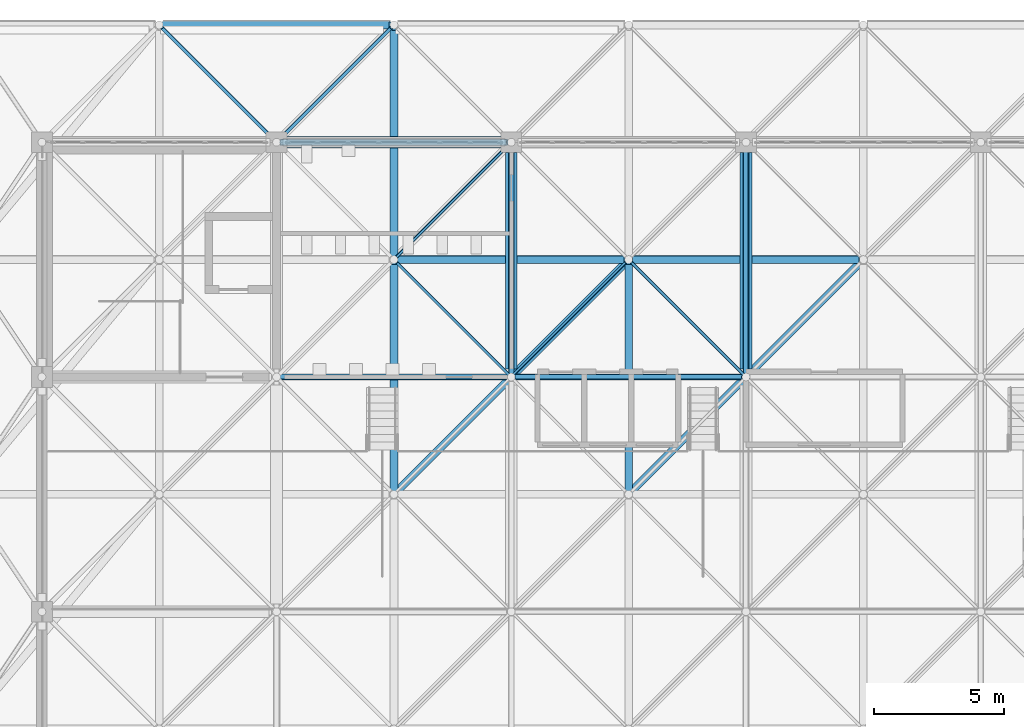
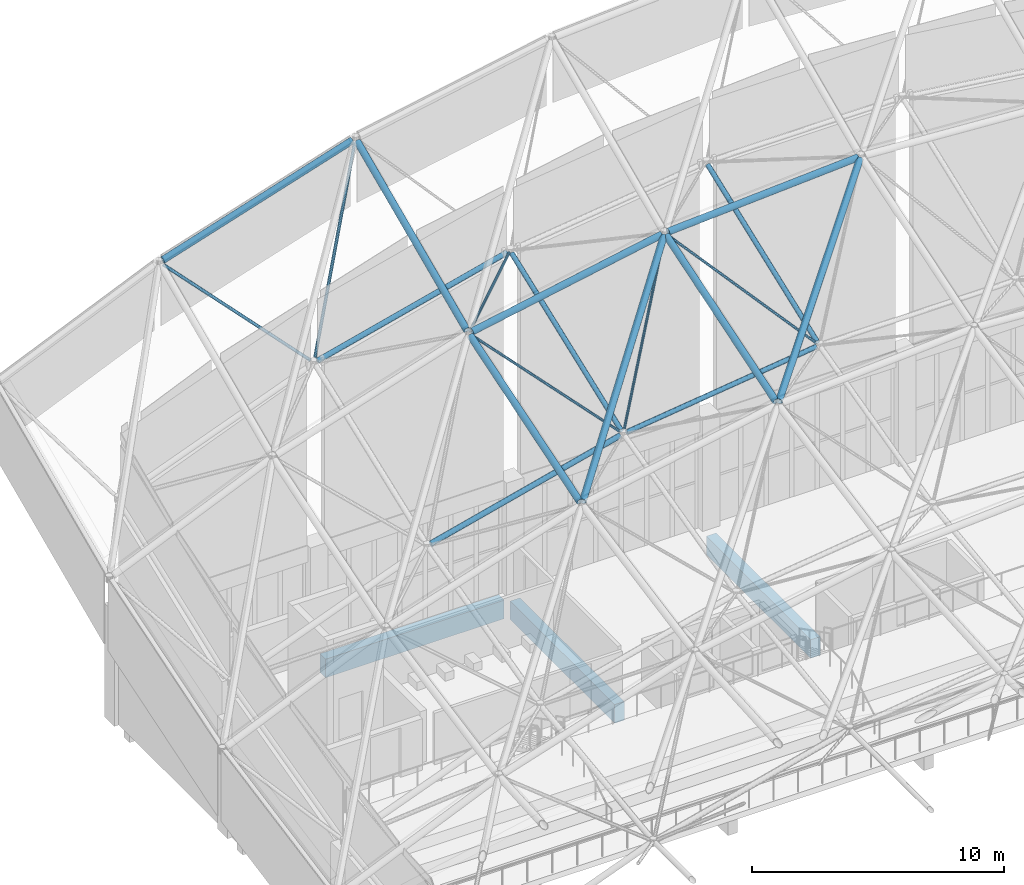
# One storey, part 110 of 437: 19 members, 3 beams.
"""IFC4 building model written with IfcOpenShell, lengths in metres."""

from ifc_helpers import new_model, si_unit, direction, frame, origin, origin_2d, place, context, subcontext, project, spatial, rectangle, hollow_circle, extrude, material, material_profile, profile_set, type_object, element, save


model = new_model("IFC4")

# Units and contexts
model_context = context("Model", 3, precision=1e-05, world=origin(), true_north=direction((0.0, 1.0)))
body_context = subcontext(model_context, "Body", "Model", "MODEL_VIEW")
ifc_project = project(units=[si_unit("LENGTHUNIT", "METRE"), si_unit("AREAUNIT", "SQUARE_METRE"), si_unit("VOLUMEUNIT", "CUBIC_METRE"), si_unit("PLANEANGLEUNIT", "RADIAN"), si_unit("MASSUNIT", "GRAM", prefix="KILO")], contexts=[model_context])

# Site, building, storey
site_placement = place(None, origin())
site = spatial("IfcSite", under=ifc_project, at=site_placement, CompositionType="ELEMENT")
building_placement = place(site_placement, origin())
building = spatial("IfcBuilding", under=site, at=building_placement, Name="Opaline Strait Convention Centre", CompositionType="ELEMENT")
storey_placement = place(building_placement, frame((0.0, 0.0, 11.5)))
storey = spatial("IfcBuildingStorey", under=building, at=storey_placement, Name="L02", CompositionType="ELEMENT", Elevation=11.5)

# Beams
ifc_material_1 = material(Name="Concrete C35", Category="concrete")
ifc_material_profile_1 = material_profile(ifc_material_1, rectangle(XDim=0.449951171875, YDim=0.89990234375, at=origin_2d()), Name="RC 450x900")
ifc_profile_set_1 = profile_set([ifc_material_profile_1], Name="Concrete C35")
beam_type = type_object("IfcBeamType", Name="RC floor beam 450x900 C35", PredefinedType="BEAM", material=ifc_profile_set_1)
beam_placement = place(storey_placement, frame((18.39990234375, 180.0, -0.72998046875), z_axis=(1.0, 0.0, 0.0), x_axis=(0.0, 1.0, 0.0)))
element("IfcBeam", 1, at=beam_placement, inside=storey, type_object=beam_type, Name="PFB1 L02 beam 3/W-4/W", PredefinedType="BEAM", context=body_context, shape_type="SweptSolid", body=[
    extrude(rectangle(XDim=0.449951171875, YDim=0.89990234375, at=origin_2d()), origin(), (0.0, 0.0, 1.0), 8.2001953125),
])
for number, where, z_axis, x_axis, name in (
    (2, (27.0, 171.300048828125, -0.72998046875), (0.0, 1.0, 0.0), (-1.0, 0.0, 0.0), "PFB1 L02 beam 4/V-4/W"),
    (3, (36.0, 171.300048828125, -0.72998046875), (0.0, 1.0, 0.0), (-1.0, 0.0, 0.0), "PFB1 L02 beam 5/V-5/W"),
):
    element("IfcBeam", number, at=place(storey_placement, frame(where, z_axis=z_axis, x_axis=x_axis)), inside=storey, type_object=beam_type, Name=name, PredefinedType="BEAM", context=body_context, shape_type="SweptSolid", body=[
        extrude(rectangle(XDim=0.449951171875, YDim=0.89990234375, at=origin_2d()), origin(), (0.0, 0.0, 1.0), 8.300048828125),
    ])

# Members
ifc_material_2 = material(Name="Steel Q355B", Category="steel")
ifc_material_profile_2 = material_profile(ifc_material_2, hollow_circle(Radius=0.109619140625, WallThickness=0.008056640625, at=origin_2d()), Name="CHS 219x8")
ifc_profile_set_2 = profile_set([ifc_material_profile_2], Name="Steel Q355B")
member_type_1 = type_object("IfcMemberType", Name="Shell truss bottom chord CHS 219x8", PredefinedType="CHORD", material=ifc_profile_set_2)
member_1_placement = place(storey_placement, frame((27.14990234375, 171.0, 12.999755859375), z_axis=(0.992034447069, 0.0, 0.125966883853), x_axis=(0.0, 1.0, 0.0)))
element("IfcMember", 4, at=member_1_placement, inside=storey, type_object=member_type_1, Name="PBC3 bottom chord X3-7", PredefinedType="CHORD", context=body_context, shape_type="SweptSolid", body=[
    extrude(hollow_circle(Radius=0.109619140625, WallThickness=0.008056640625, at=origin_2d()), origin(), (0.0, 0.0, 1.0), 8.77001953125),
])
for number, where, z_axis, x_axis, name in (
    (5, (27.0, 171.14990234375, 13.037841796875), (0.0, 0.934493135261, 0.355981151397), (-1.0, 0.0, 0.0), "PBC3 bottom chord Y3-7"),
    (6, (36.0, 171.14990234375, 14.1806640625), (0.0, 0.934484411572, 0.356004051282), (-1.0, 0.0, 0.0), "PBC3 bottom chord Y4-7"),
):
    element("IfcMember", number, at=place(storey_placement, frame(where, z_axis=z_axis, x_axis=x_axis)), inside=storey, type_object=member_type_1, Name=name, PredefinedType="CHORD", context=body_context, shape_type="SweptSolid", body=[
        extrude(hollow_circle(Radius=0.109619140625, WallThickness=0.008056640625, at=origin_2d()), origin(), (0.0, 0.0, 1.0), 9.31005859375),
    ])
ifc_material_profile_3 = material_profile(ifc_material_2, hollow_circle(Radius=0.12255859375, WallThickness=0.011962890625, at=origin_2d()), Name="CHS 245x12")
ifc_profile_set_3 = profile_set([ifc_material_profile_3], Name="Steel Q355B")
member_type_2 = type_object("IfcMemberType", Name="Shell truss bottom chord CHS 245x12", PredefinedType="CHORD", material=ifc_profile_set_3)
for number, where, z_axis, x_axis, name in (
    (7, (18.14990234375, 171.0, 10.733154296875), (0.969233447146, 0.0, 0.246143301624), (0.0, 1.0, 0.0), "PBC2 bottom chord X2-7"),
    (8, (18.14990234375, 180.0, 14.16162109375), (0.969233447146, 0.0, 0.246143301624), (0.0, 1.0, 0.0), "PBC2 bottom chord X2-8"),
):
    element("IfcMember", number, at=place(storey_placement, frame(where, z_axis=z_axis, x_axis=x_axis)), inside=storey, type_object=member_type_2, Name=name, PredefinedType="CHORD", context=body_context, shape_type="SweptSolid", body=[
        extrude(hollow_circle(Radius=0.12255859375, WallThickness=0.011962890625, at=origin_2d()), origin(), (0.0, 0.0, 1.0), 8.976318359375),
    ])
ifc_material_profile_4 = material_profile(ifc_material_2, hollow_circle(Radius=0.1494140625, WallThickness=0.010009765625, at=origin_2d()), Name="CHS 299x10")
ifc_profile_set_4 = profile_set([ifc_material_profile_4], Name="Steel Q355B")
member_type_3 = type_object("IfcMemberType", Name="Shell truss top chord CHS 299x10", PredefinedType="CHORD", material=ifc_profile_set_4)
member_2_placement = place(storey_placement, frame((22.64990234375, 175.5, 16.730712890625), z_axis=(0.982337601302, 0.0, 0.187117174701), x_axis=(0.0, 1.0, 0.0)))
element("IfcMember", 9, at=member_2_placement, inside=storey, type_object=member_type_3, Name="PTC2 top chord X3-8", PredefinedType="CHORD", context=body_context, shape_type="SweptSolid", body=[
    extrude(hollow_circle(Radius=0.1494140625, WallThickness=0.010009765625, at=origin_2d()), origin(), (0.0, 0.0, 1.0), 8.856689453125),
])
member_3_placement = place(storey_placement, frame((31.64990234375, 175.5, 18.426025390625), z_axis=(0.997991520688, 0.0, 0.063347649001), x_axis=(0.0, 1.0, 0.0)))
element("IfcMember", 10, at=member_3_placement, inside=storey, type_object=member_type_3, Name="PTC2 top chord X4-8", PredefinedType="CHORD", context=body_context, shape_type="SweptSolid", body=[
    extrude(hollow_circle(Radius=0.1494140625, WallThickness=0.010009765625, at=origin_2d()), origin(), (0.0, 0.0, 1.0), 8.7177734375),
])
member_4_placement = place(storey_placement, frame((31.5, 166.64990234375, 15.60693359375), z_axis=(0.0, 0.95312438958, 0.302578746754), x_axis=(-1.0, 0.0, 0.0)))
element("IfcMember", 11, at=member_4_placement, inside=storey, type_object=member_type_3, Name="PTC2 top chord Y4-7", PredefinedType="CHORD", context=body_context, shape_type="SweptSolid", body=[
    extrude(hollow_circle(Radius=0.1494140625, WallThickness=0.010009765625, at=origin_2d()), origin(), (0.0, 0.0, 1.0), 9.128173828125),
])
member_5_placement = place(storey_placement, frame((22.606201171875, 166.606201171875, 13.89892578125), z_axis=(0.66548332054, 0.66548332054, 0.338029436835), x_axis=(-0.707106781187, 0.707106781187, 0.0)))
element("IfcMember", 12, at=member_5_placement, inside=storey, type_object=member_type_3, Name="PTC2 top chord D3-7", PredefinedType="CHORD", context=body_context, shape_type="SweptSolid", body=[
    extrude(hollow_circle(Radius=0.1494140625, WallThickness=0.010009765625, at=origin_2d()), origin(), (0.0, 0.0, 1.0), 13.204833984375),
])
member_6_placement = place(storey_placement, frame((31.606201171875, 166.606201171875, 15.599609375), z_axis=(0.682765524407, 0.682765524407, 0.260120121026), x_axis=(-0.707106781187, 0.707106781187, 0.0)))
element("IfcMember", 13, at=member_6_placement, inside=storey, type_object=member_type_3, Name="PTC2 top chord D4-7", PredefinedType="CHORD", context=body_context, shape_type="SweptSolid", body=[
    extrude(hollow_circle(Radius=0.1494140625, WallThickness=0.010009765625, at=origin_2d()), origin(), (0.0, 0.0, 1.0), 12.87060546875),
])
ifc_material_profile_5 = material_profile(ifc_material_2, hollow_circle(Radius=0.1494140625, WallThickness=0.01611328125, at=origin_2d()), Name="CHS 299x16")
ifc_profile_set_5 = profile_set([ifc_material_profile_5], Name="Steel Q355B")
member_type_4 = type_object("IfcMemberType", Name="Shell truss top chord CHS 299x16", PredefinedType="CHORD", material=ifc_profile_set_5)
for number, where, z_axis, x_axis, name in (
    (14, (13.64990234375, 184.5, 17.892578125), (0.95312438958, 0.0, 0.302578746754), (0.0, 1.0, 0.0), "PTC1 top chord X2-9"),
    (15, (22.5, 166.64990234375, 13.892578125), (0.0, 0.95312438958, 0.302578746754), (-1.0, 0.0, 0.0), "PTC1 top chord Y3-7"),
):
    element("IfcMember", number, at=place(storey_placement, frame(where, z_axis=z_axis, x_axis=x_axis)), inside=storey, type_object=member_type_4, Name=name, PredefinedType="CHORD", context=body_context, shape_type="SweptSolid", body=[
        extrude(hollow_circle(Radius=0.1494140625, WallThickness=0.01611328125, at=origin_2d()), origin(), (0.0, 0.0, 1.0), 9.128173828125),
    ])
member_7_placement = place(storey_placement, frame((22.5, 175.64990234375, 16.768798828125), z_axis=(0.0, 0.913813663494, 0.406133707555), x_axis=(-1.0, 0.0, 0.0)))
element("IfcMember", 16, at=member_7_placement, inside=storey, type_object=member_type_4, Name="PTC1 top chord Y3-8", PredefinedType="CHORD", context=body_context, shape_type="SweptSolid", body=[
    extrude(hollow_circle(Radius=0.1494140625, WallThickness=0.01611328125, at=origin_2d()), origin(), (0.0, 0.0, 1.0), 9.520751953125),
])
ifc_material_profile_6 = material_profile(ifc_material_2, hollow_circle(Radius=0.056884765625, WallThickness=0.006103515625, at=origin_2d()), Name="CHS 114x6")
ifc_profile_set_6 = profile_set([ifc_material_profile_6], Name="Steel Q355B")
member_type_5 = type_object("IfcMemberType", Name="Shell truss web CHS 114x6", PredefinedType="BRACE", material=ifc_profile_set_6)
member_8_placement = place(storey_placement, frame((26.893798828125, 171.106201171875, 13.068359375), z_axis=(-0.610386818671, 0.610386818671, 0.504832510033), x_axis=(-0.707106781187, -0.707106781187, 0.0)))
element("IfcMember", 17, at=member_8_placement, inside=storey, type_object=member_type_5, Name="PWB3 web 3-7ad", PredefinedType="BRACE", context=body_context, shape_type="SweptSolid", body=[
    extrude(hollow_circle(Radius=0.056884765625, WallThickness=0.006103515625, at=origin_2d()), origin(), (0.0, 0.0, 1.0), 7.0244140625),
])
member_9_placement = place(storey_placement, frame((27.106201171875, 171.106201171875, 13.10888671875), z_axis=(0.537659406453, 0.537659406453, 0.649495746949), x_axis=(-0.707106781187, 0.707106781187, 0.0)))
element("IfcMember", 18, at=member_9_placement, inside=storey, type_object=member_type_5, Name="PWB3 web 3-7bd", PredefinedType="BRACE", context=body_context, shape_type="SweptSolid", body=[
    extrude(hollow_circle(Radius=0.056884765625, WallThickness=0.006103515625, at=origin_2d()), origin(), (0.0, 0.0, 1.0), 7.974609375),
])
member_10_placement = place(storey_placement, frame((26.893798828125, 179.893798828125, 16.416259765625), z_axis=(-0.706359162176, -0.706359162176, 0.045972470241), x_axis=(0.707106781187, -0.707106781187, 0.0)))
element("IfcMember", 19, at=member_10_placement, inside=storey, type_object=member_type_5, Name="PWB3 web 3-8ac", PredefinedType="BRACE", context=body_context, shape_type="SweptSolid", body=[
    extrude(hollow_circle(Radius=0.056884765625, WallThickness=0.006103515625, at=origin_2d()), origin(), (0.0, 0.0, 1.0), 6.070068359375),
])
member_11_placement = place(storey_placement, frame((35.893798828125, 171.106201171875, 14.224853515625), z_axis=(-0.586200317653, 0.586200317653, 0.559230162963), x_axis=(-0.707106781187, -0.707106781187, 0.0)))
element("IfcMember", 20, at=member_11_placement, inside=storey, type_object=member_type_5, Name="PWB3 web 4-7ad", PredefinedType="BRACE", context=body_context, shape_type="SweptSolid", body=[
    extrude(hollow_circle(Radius=0.056884765625, WallThickness=0.006103515625, at=origin_2d()), origin(), (0.0, 0.0, 1.0), 7.314208984375),
])
ifc_material_profile_7 = material_profile(ifc_material_2, hollow_circle(Radius=0.070068359375, WallThickness=0.008056640625, at=origin_2d()), Name="CHS 140x8")
ifc_profile_set_7 = profile_set([ifc_material_profile_7], Name="Steel Q355B")
member_type_6 = type_object("IfcMemberType", Name="Shell truss web CHS 140x8", PredefinedType="BRACE", material=ifc_profile_set_7)
member_12_placement = place(storey_placement, frame((17.893798828125, 180.106201171875, 14.211181640625), z_axis=(-0.610386818671, 0.610386818671, 0.504832510033), x_axis=(-0.707106781187, -0.707106781187, 0.0)))
element("IfcMember", 21, at=member_12_placement, inside=storey, type_object=member_type_6, Name="PWB2 web 2-8ad", PredefinedType="BRACE", context=body_context, shape_type="SweptSolid", body=[
    extrude(hollow_circle(Radius=0.070068359375, WallThickness=0.008056640625, at=origin_2d()), origin(), (0.0, 0.0, 1.0), 7.0244140625),
])
member_13_placement = place(storey_placement, frame((18.1025390625, 180.1025390625, 14.273681640625), z_axis=(0.491659576152, 0.491659576152, 0.718708370869), x_axis=(-0.707106781187, 0.707106781187, 0.0)))
element("IfcMember", 22, at=member_13_placement, inside=storey, type_object=member_type_6, Name="PWB2 web 2-8bd", PredefinedType="BRACE", context=body_context, shape_type="SweptSolid", body=[
    extrude(hollow_circle(Radius=0.070068359375, WallThickness=0.008056640625, at=origin_2d()), origin(), (0.0, 0.0, 1.0), 8.735595703125),
])

save(model, "model.ifc")
